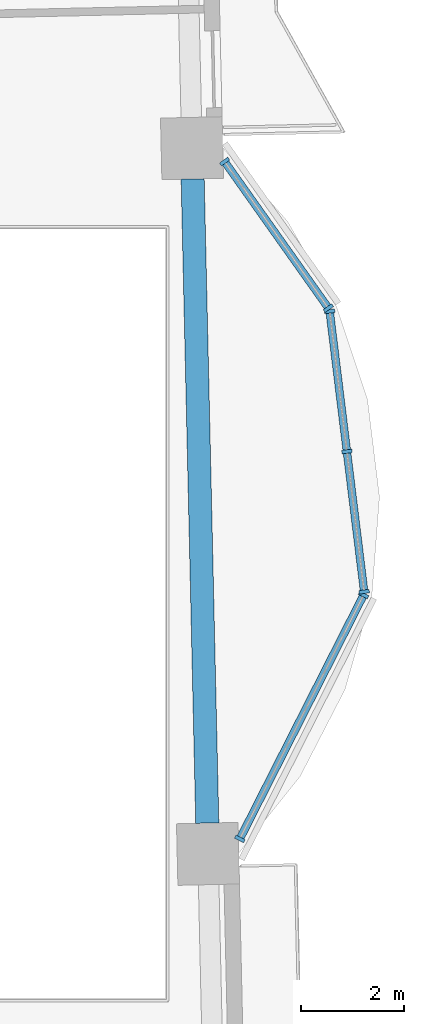
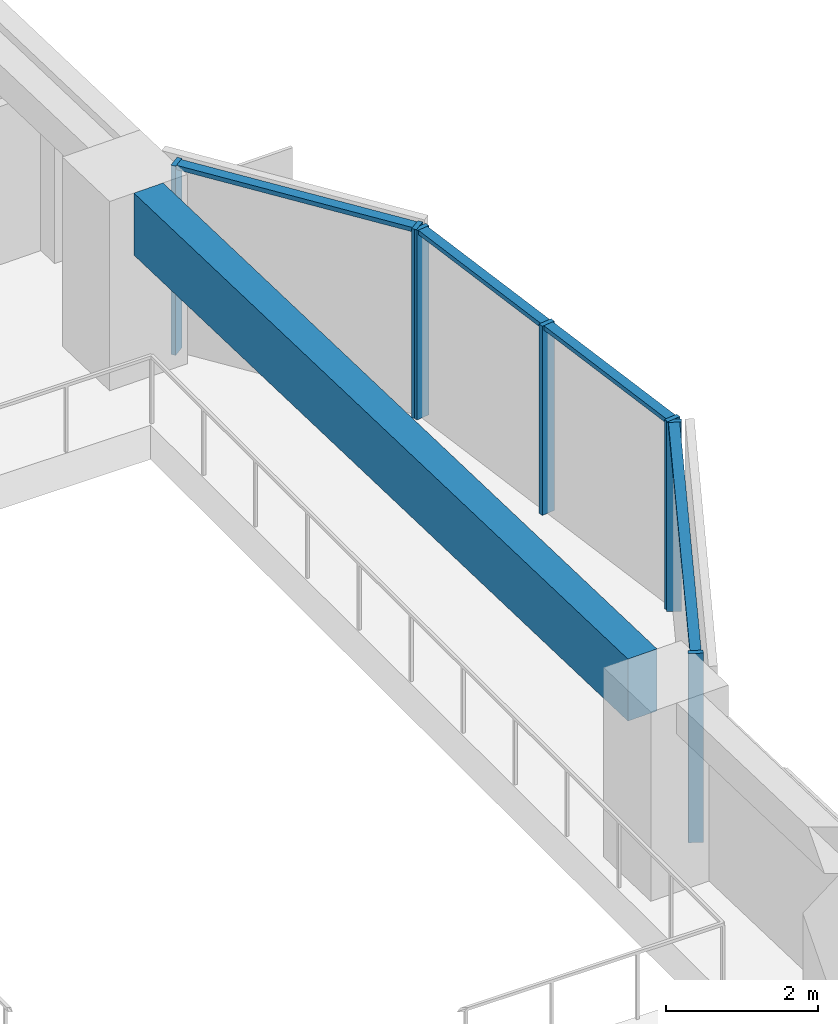
# One storey, part 2 of 14: 11 members, 1 beam, 3 elements without a shape of their own.
"""IFC4 building model written with IfcOpenShell, lengths in metres."""

from ifc_helpers import new_model, si_unit, direction, frame, origin, origin_2d, place, context, subcontext, project, spatial, rectangle, extrude, material, material_profile, profile_set, type_object, element, aggregate, save


model = new_model("IFC4")

# Units and contexts
model_context = context("Model", 3, precision=1e-05, world=origin(), true_north=direction((0.0, 1.0)))
body_context = subcontext(model_context, "Body", "Model", "MODEL_VIEW")
ifc_project = project(units=[si_unit("LENGTHUNIT", "METRE"), si_unit("AREAUNIT", "SQUARE_METRE"), si_unit("VOLUMEUNIT", "CUBIC_METRE"), si_unit("PLANEANGLEUNIT", "RADIAN"), si_unit("MASSUNIT", "GRAM", prefix="KILO")], contexts=[model_context])

# Site, building, storey
site_placement = place(None, origin())
site = spatial("IfcSite", under=ifc_project, at=site_placement, CompositionType="ELEMENT")
building_placement = place(site_placement, origin())
building = spatial("IfcBuilding", under=site, at=building_placement, Name="Mangrove Gate Tower", CompositionType="ELEMENT")
storey_placement = place(building_placement, frame((0.0, 0.0, 186.10009765625)))
storey = spatial("IfcBuildingStorey", under=building, at=storey_placement, Name="L47", CompositionType="ELEMENT", Elevation=186.10009765625)

# Curtain wall, members
ifc_material_1 = material(Name="Aluminium and glass curtain wall", Category="aluminium")
curtain_wall_type = type_object("IfcCurtainWallType", Name="Atrium garden-court glazing wall", PredefinedType="NOTDEFINED", material=ifc_material_1)
curtain_wall_1_placement = place(storey_placement, origin())
curtain_wall_1 = element("IfcCurtainWall", 1, at=curtain_wall_1_placement, inside=storey, type_object=curtain_wall_type, Name="Atrium garden-court glazing E1f1", PredefinedType="NOTDEFINED")
ifc_material_2 = material(Name="Aluminium alloy 6063-T6", Category="aluminium")
ifc_material_profile_1 = material_profile(ifc_material_2, rectangle(XDim=0.070068359375, YDim=0.199951171875, at=origin_2d()))
ifc_profile_set_1 = profile_set([ifc_material_profile_1], Name="Aluminium alloy 6063-T6")
member_type_1 = type_object("IfcMemberType", Name="Atrium garden-court glazing mullion 70x200", PredefinedType="MULLION", material=ifc_profile_set_1)
member_1_placement = place(storey_placement, frame((26.41015625, -4.387451171875, 0.0), z_axis=(0.0, 0.0, 1.0), x_axis=(0.452578247326, 0.891724694089, 0.0)))
member_1 = element("IfcMember", 2, at=member_1_placement, type_object=member_type_1, Name="CWA mullion 1", PredefinedType="MULLION", context=body_context, shape_type="SweptSolid", body=[
    extrude(rectangle(XDim=0.070068359375, YDim=0.199951171875, at=origin_2d()), origin(), (0.0, 0.0, 1.0), 3.0498046875),
])
member_2_placement = place(storey_placement, frame((28.8212890625, 0.363037109375, 0.0), z_axis=(0.0, 0.0, 1.0), x_axis=(0.452578247326, 0.891724694089, 0.0)))
member_2 = element("IfcMember", 3, at=member_2_placement, type_object=member_type_1, Name="CWA mullion 2", PredefinedType="MULLION", context=body_context, shape_type="SweptSolid", body=[
    extrude(rectangle(XDim=0.070068359375, YDim=0.199951171875, at=origin_2d()), origin(), (0.0, 0.0, 1.0), 3.0498046875),
])

curtain_wall_2_placement = place(storey_placement, origin())
curtain_wall_2 = element("IfcCurtainWall", 4, at=curtain_wall_2_placement, inside=storey, type_object=curtain_wall_type, Name="Atrium garden-court glazing E1f2", PredefinedType="NOTDEFINED")
member_3_placement = place(storey_placement, frame((28.8330078125, 0.428955078125, 0.0), z_axis=(0.0, 0.0, 1.0), x_axis=(-0.122172286076, 0.992508908028, 0.0)))
member_3 = element("IfcMember", 5, at=member_3_placement, type_object=member_type_1, Name="CWA mullion 1", PredefinedType="MULLION", context=body_context, shape_type="SweptSolid", body=[
    extrude(rectangle(XDim=0.070068359375, YDim=0.199951171875, at=origin_2d()), origin(), (0.0, 0.0, 1.0), 3.0498046875),
])
member_4_placement = place(storey_placement, frame((28.496826171875, 3.16015625, 0.0), z_axis=(0.0, 0.0, 1.0), x_axis=(-0.122172286076, 0.992508908028, 0.0)))
member_4 = element("IfcMember", 6, at=member_4_placement, type_object=member_type_1, Name="CWA mullion 2", PredefinedType="MULLION", context=body_context, shape_type="SweptSolid", body=[
    extrude(rectangle(XDim=0.070068359375, YDim=0.199951171875, at=origin_2d()), origin(), (0.0, 0.0, 1.0), 3.0498046875),
])
member_5_placement = place(storey_placement, frame((28.16064453125, 5.89111328125, 0.0), z_axis=(0.0, 0.0, 1.0), x_axis=(-0.122172286076, 0.992508908028, 0.0)))
member_5 = element("IfcMember", 7, at=member_5_placement, type_object=member_type_1, Name="CWA mullion 3", PredefinedType="MULLION", context=body_context, shape_type="SweptSolid", body=[
    extrude(rectangle(XDim=0.070068359375, YDim=0.199951171875, at=origin_2d()), origin(), (0.0, 0.0, 1.0), 3.0498046875),
])

curtain_wall_3_placement = place(storey_placement, origin())
curtain_wall_3 = element("IfcCurtainWall", 8, at=curtain_wall_3_placement, inside=storey, type_object=curtain_wall_type, Name="Atrium garden-court glazing E1f3", PredefinedType="NOTDEFINED")
member_6_placement = place(storey_placement, frame((28.135986328125, 5.95458984375, 0.0), z_axis=(0.0, 0.0, 1.0), x_axis=(-0.578106334278, 0.815961436753, 0.0)))
member_6 = element("IfcMember", 9, at=member_6_placement, type_object=member_type_1, Name="CWA mullion 1", PredefinedType="MULLION", context=body_context, shape_type="SweptSolid", body=[
    extrude(rectangle(XDim=0.070068359375, YDim=0.199951171875, at=origin_2d()), origin(), (0.0, 0.0, 1.0), 3.0498046875),
])
member_7_placement = place(storey_placement, frame((26.11376953125, 8.808837890625, 0.0), z_axis=(0.0, 0.0, 1.0), x_axis=(-0.578106334278, 0.815961436753, 0.0)))
member_7 = element("IfcMember", 10, at=member_7_placement, type_object=member_type_1, Name="CWA mullion 2", PredefinedType="MULLION", context=body_context, shape_type="SweptSolid", body=[
    extrude(rectangle(XDim=0.070068359375, YDim=0.199951171875, at=origin_2d()), origin(), (0.0, 0.0, 1.0), 3.0498046875),
])

# Member
ifc_material_3 = material(Name="Aluminium alloy 6063-T6", Category="aluminium")
ifc_material_profile_2 = material_profile(ifc_material_3, rectangle(XDim=0.070068359375, YDim=0.14990234375, at=origin_2d()))
ifc_profile_set_2 = profile_set([ifc_material_profile_2], Name="Aluminium alloy 6063-T6")
member_type_2 = type_object("IfcMemberType", Name="Atrium garden-court glazing transom 70x150", PredefinedType="USERDEFINED", material=ifc_profile_set_2)
member_8_placement = place(storey_placement, frame((26.426025390625, -4.3564453125, 3.014892578125), z_axis=(0.452573642037, 0.891727031402, 0.0), x_axis=(0.0, 0.0, 1.0)))
member_8 = element("IfcMember", 11, at=member_8_placement, type_object=member_type_2, Name="CWA transom 1.2", ObjectType="TRANSOM", PredefinedType="USERDEFINED", context=body_context, shape_type="SweptSolid", body=[
    extrude(rectangle(XDim=0.070068359375, YDim=0.14990234375, at=origin_2d()), origin(), (0.0, 0.0, 1.0), 5.257568359375),
])

aggregate(curtain_wall_1, [member_1, member_2, member_8])

member_9_placement = place(storey_placement, frame((28.82861328125, 0.463623046875, 3.014892578125), z_axis=(-0.122174517154, 0.992508633392, 0.0), x_axis=(0.0, 0.0, 1.0)))
member_9 = element("IfcMember", 12, at=member_9_placement, type_object=member_type_2, Name="CWA transom 1.2", ObjectType="TRANSOM", PredefinedType="USERDEFINED", context=body_context, shape_type="SweptSolid", body=[
    extrude(rectangle(XDim=0.070068359375, YDim=0.14990234375, at=origin_2d()), origin(), (0.0, 0.0, 1.0), 2.681640625),
])

member_10_placement = place(storey_placement, frame((28.492431640625, 3.19482421875, 3.014892578125), z_axis=(-0.122174517154, 0.992508633392, 0.0), x_axis=(0.0, 0.0, 1.0)))
member_10 = element("IfcMember", 13, at=member_10_placement, type_object=member_type_2, Name="CWA transom 2.2", ObjectType="TRANSOM", PredefinedType="USERDEFINED", context=body_context, shape_type="SweptSolid", body=[
    extrude(rectangle(XDim=0.070068359375, YDim=0.14990234375, at=origin_2d()), origin(), (0.0, 0.0, 1.0), 2.681640625),
])

aggregate(curtain_wall_2, [member_3, member_4, member_5, member_9, member_10])

member_11_placement = place(storey_placement, frame((28.11572265625, 5.983154296875, 3.014892578125), z_axis=(-0.578094404228, 0.815969889028, 0.0), x_axis=(0.0, 0.0, 1.0)))
member_11 = element("IfcMember", 14, at=member_11_placement, type_object=member_type_2, Name="CWA transom 1.2", ObjectType="TRANSOM", PredefinedType="USERDEFINED", context=body_context, shape_type="SweptSolid", body=[
    extrude(rectangle(XDim=0.070068359375, YDim=0.14990234375, at=origin_2d()), origin(), (0.0, 0.0, 1.0), 3.427978515625),
])

aggregate(curtain_wall_3, [member_6, member_7, member_11])

# Beam
ifc_material_4 = material(Name="Concrete C50/60", Category="concrete")
ifc_material_profile_3 = material_profile(ifc_material_4, rectangle(XDim=0.449951171875, YDim=1.0, at=origin_2d()))
ifc_profile_set_3 = profile_set([ifc_material_profile_3], Name="Concrete C50/60")
beam_type = type_object("IfcBeamType", Name="Edge beam RC 450x1000 C50/60", PredefinedType="BEAM", material=ifc_profile_set_3)
beam_placement = place(storey_placement, frame((25.776611328125, -4.078857421875, 2.5498046875), z_axis=(-0.022699313353, 0.999742337392, 0.0), x_axis=(-0.999742337392, -0.022699313353, 0.0)))
element("IfcBeam", 15, at=beam_placement, inside=storey, type_object=beam_type, Name="Edge beam L47 14", PredefinedType="BEAM", context=body_context, shape_type="SweptSolid", body=[
    extrude(rectangle(XDim=0.449951171875, YDim=1.0, at=origin_2d()), origin(), (0.0, 0.0, 1.0), 12.551513671875),
])

save(model, "model.ifc")
